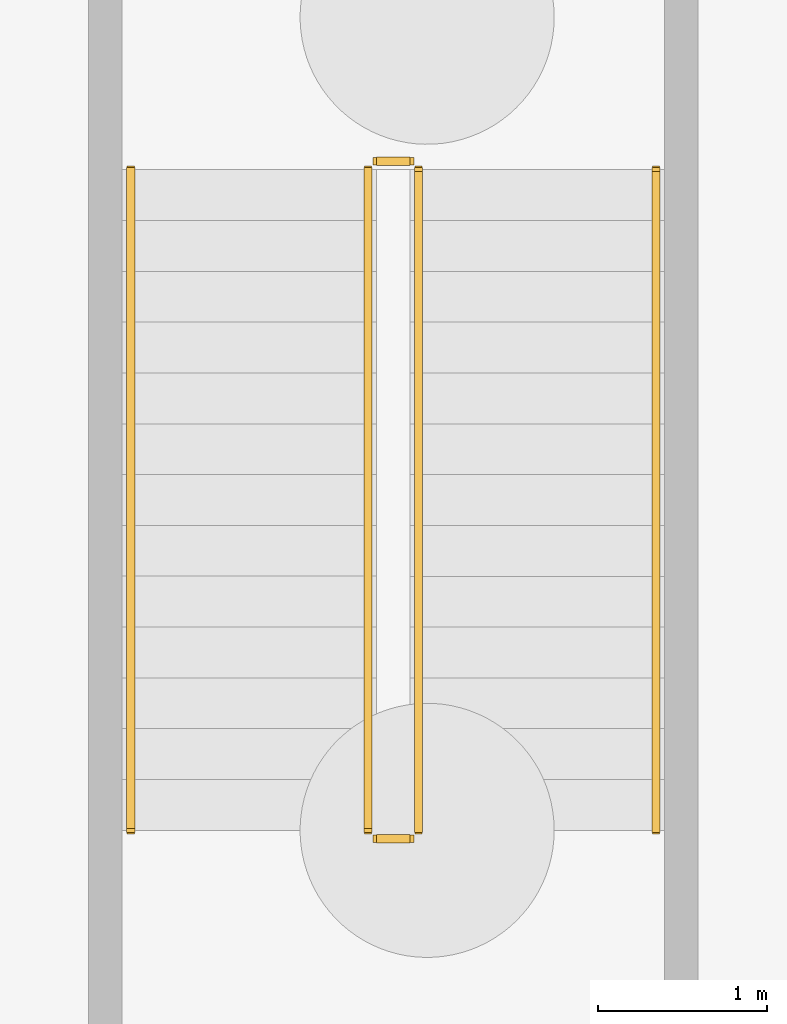
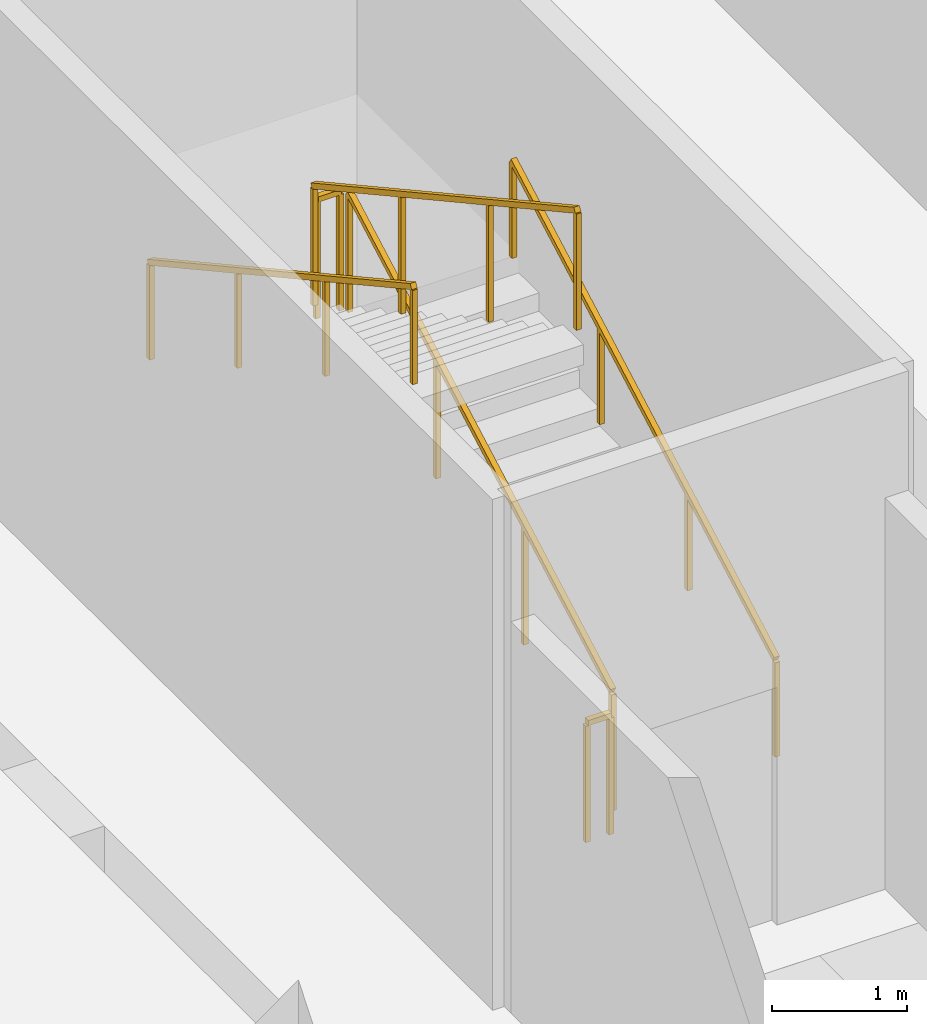
# One storey, part 13 of 14: 6 railings.
"""IFC4 building model written with IfcOpenShell, lengths in metres."""

import ifcopenshell
import ifcopenshell.guid

model = None  # the IFC model being written
_history = None  # IfcOwnerHistory: only IFC2X3 demands one
_inside = {}  # id of a spatial element -> (the spatial element, [elements in it])
_under = {}  # id of a project, library or spatial element -> (it, [spatial elements below it])
_declared = {}  # id of a project -> (the project, [libraries it declares])
_typed = {}  # id of a type object -> (the type object, [elements of that type])
_made_of = {}  # id of a material, layer set ... -> (it, [elements and type objects made of it])


def new_model(schema):
    """Start an empty IFC model of exactly this schema.

    Asked for "IFC4X3", IfcOpenShell would pick the latest addendum, in which some entities
    have other attributes; the version numbers below select the first issue.
    IFC2X3 requires an IfcOwnerHistory on every rooted entity: one is made here for all.
    """
    global model, _history
    if schema == "IFC4X3":
        model = ifcopenshell.file(schema_version=(4, 3, 0, 0))
    else:
        model = ifcopenshell.file(schema=schema)
    _inside.clear()
    _under.clear()
    _declared.clear()
    _typed.clear()
    _made_of.clear()
    _history = None
    if model.schema == "IFC2X3":
        org = make("IfcOrganization", Name="unknown")
        user = make(
            "IfcPersonAndOrganization",
            ThePerson=make("IfcPerson", FamilyName="unknown"),
            TheOrganization=org,
        )
        app = make(
            "IfcApplication",
            ApplicationDeveloper=org,
            Version="unknown",
            ApplicationFullName="unknown",
            ApplicationIdentifier="unknown",
        )
        _history = make(
            "IfcOwnerHistory",
            OwningUser=user,
            OwningApplication=app,
            ChangeAction="ADDED",
            CreationDate=0,
        )
    return model


def make(cls, **values):
    """One entity of the class cls with the attributes given. An attribute that is None is left unset."""
    return model.create_entity(
        cls, **{name: value for name, value in values.items() if value is not None}
    )


def rooted(cls, **values):
    """An entity with a GlobalId (a new one), such as an element, a storey or a relation."""
    return make(cls, GlobalId=ifcopenshell.guid.new(), OwnerHistory=_history, **values)


def si_unit(unit_type, name, prefix=None):
    """IfcSIUnit, for example si_unit("LENGTHUNIT", "METRE", prefix="MILLI")."""
    return make("IfcSIUnit", UnitType=unit_type, Prefix=prefix, Name=name)


def assignment(units):
    """IfcUnitAssignment: the units of a project."""
    return None if units is None else make("IfcUnitAssignment", Units=units)


def point(xyz):
    """IfcCartesianPoint."""
    return None if xyz is None else make("IfcCartesianPoint", Coordinates=xyz)


def direction(xyz):
    """IfcDirection."""
    return None if xyz is None else make("IfcDirection", DirectionRatios=xyz)


def frame(location, z_axis=None, x_axis=None):
    """IfcAxis2Placement3D, a coordinate frame: its origin and axes. An axis left out is left unset."""
    return make(
        "IfcAxis2Placement3D",
        Location=point(location),
        Axis=direction(z_axis),
        RefDirection=direction(x_axis),
    )


def origin():
    """The frame at (0, 0, 0) with its axes left unset."""
    return frame((0.0, 0.0, 0.0))


def place(relative_to, where):
    """IfcLocalPlacement: puts the frame where relative to a parent placement (None: the world)."""
    return make(
        "IfcLocalPlacement", PlacementRelTo=relative_to, RelativePlacement=where
    )


def context(
    kind, dimensions, precision=None, world=None, true_north=None, identifier=None
):
    """IfcGeometricRepresentationContext, for example the 3D "Model" context."""
    return make(
        "IfcGeometricRepresentationContext",
        ContextIdentifier=identifier,
        ContextType=kind,
        CoordinateSpaceDimension=dimensions,
        Precision=precision,
        WorldCoordinateSystem=world,
        TrueNorth=true_north,
    )


def subcontext(parent, identifier, kind, view, scale=None):
    """IfcGeometricRepresentationSubContext, for example "Body" below "Model"."""
    return make(
        "IfcGeometricRepresentationSubContext",
        ContextIdentifier=identifier,
        ContextType=kind,
        ParentContext=parent,
        TargetScale=scale,
        TargetView=view,
    )


def project(units=None, contexts=None):
    """IfcProject with its units and contexts."""
    return rooted(
        "IfcProject",
        Name="project",
        RepresentationContexts=contexts,
        UnitsInContext=assignment(units),
    )


def spatial(cls, under=None, at=None, **own):
    """A site, building, storey or space (cls), placed at a placement, below another one or the project."""
    s = rooted(cls, ObjectPlacement=at, **own)
    if under is not None:
        _under.setdefault(under.id(), (under, []))[1].append(s)
    return s


def profile(cls, at=None, kind="AREA", **sizes):
    """A parametric profile (cls). Its sizes go by their IFC names, for example OverallWidth=200.0."""
    return make(cls, ProfileType=kind, Position=at, **sizes)


def rectangle(**sizes):
    """IfcRectangleProfileDef."""
    return profile("IfcRectangleProfileDef", **sizes)


def extrude(swept, where, along, depth):
    """IfcExtrudedAreaSolid: the profile swept, set in the frame where, extruded along a direction by depth."""
    return make(
        "IfcExtrudedAreaSolid",
        SweptArea=swept,
        Position=where,
        ExtrudedDirection=direction(along),
        Depth=depth,
    )


def shape(context_of_items, identifier, shape_type, items):
    """IfcShapeRepresentation: the items that make up one representation, for example the "Body"."""
    return make(
        "IfcShapeRepresentation",
        ContextOfItems=context_of_items,
        RepresentationIdentifier=identifier,
        RepresentationType=shape_type,
        Items=items,
    )


def material(Name=None, Category=None):
    """IfcMaterial."""
    return make("IfcMaterial", Name=Name, Category=Category)


def made_of(thing, what):
    """Note that an element or type object is made of a material, layer set ...; save() writes the relation."""
    if what is not None:
        _made_of.setdefault(what.id(), (what, []))[1].append(thing)
    return thing


def type_object(cls, material=None, **own):
    """A type object (cls), such as IfcWallType, which elements share."""
    return made_of(rooted(cls, **own), material)


def element(
    cls,
    number,
    at=None,
    inside=None,
    cuts=None,
    type_object=None,
    material=None,
    context=None,
    identifier="Body",
    shape_type=None,
    held_by="IfcProductDefinitionShape",
    body=None,
    shapes=None,
    **own,
):
    """One element of the class cls, such as IfcWall. Its Tag is "e" and its number.

    at: its placement. inside: the storey or other place that contains it. cuts: it is an
    opening in that element (IfcRelVoidsElement). A single representation is given by context,
    identifier, shape_type and body (its items); several are given by shapes. held_by: the class
    of the entity that holds the representations. save() writes the other relations.
    """
    e = rooted(cls, Tag="e%d" % number, ObjectPlacement=at, **own)
    if body is not None:
        shapes = [shape(context, identifier, shape_type, body)]
    if shapes is not None:
        e.Representation = make(held_by, Representations=shapes)
    if inside is not None:
        _inside.setdefault(inside.id(), (inside, []))[1].append(e)
    if cuts is not None:
        rooted(
            "IfcRelVoidsElement", RelatingBuildingElement=cuts, RelatedOpeningElement=e
        )
    if type_object is not None:
        _typed.setdefault(type_object.id(), (type_object, []))[1].append(e)
    return made_of(e, material)


def aggregate(whole, parts):
    """IfcRelAggregates: a whole, such as a stair, and the parts it consists of."""
    return rooted("IfcRelAggregates", RelatingObject=whole, RelatedObjects=parts)


def save(model, path):
    """Write the relations noted so far, then the file.

    IfcRelAggregates (storeys below a building ...), IfcRelContainedInSpatialStructure (elements
    in a storey), IfcRelDefinesByType, IfcRelAssociatesMaterial and IfcRelDeclares: one each for
    every whole, place, type object, material and project.
    """
    for whole, parts in _under.values():
        aggregate(whole, parts)
    for where, things in _inside.values():
        rooted(
            "IfcRelContainedInSpatialStructure",
            RelatedElements=things,
            RelatingStructure=where,
        )
    for kind, things in _typed.values():
        rooted("IfcRelDefinesByType", RelatedObjects=things, RelatingType=kind)
    for what, things in _made_of.values():
        rooted("IfcRelAssociatesMaterial", RelatedObjects=things, RelatingMaterial=what)
    for by, libraries in _declared.values():
        rooted("IfcRelDeclares", RelatingContext=by, RelatedDefinitions=libraries)
    model.write(path)


model = new_model("IFC4")

# Units and contexts
model_context = context("Model", 3, precision=1e-05, world=origin(), true_north=direction((0.0, 1.0)))
body_context = subcontext(model_context, "Body", "Model", "MODEL_VIEW")
ifc_project = project(units=[si_unit("LENGTHUNIT", "METRE"), si_unit("AREAUNIT", "SQUARE_METRE"), si_unit("VOLUMEUNIT", "CUBIC_METRE"), si_unit("PLANEANGLEUNIT", "RADIAN"), si_unit("MASSUNIT", "GRAM", prefix="KILO")], contexts=[model_context])

# Site, building, storey
site_placement = place(None, origin())
site = spatial("IfcSite", under=ifc_project, at=site_placement, CompositionType="ELEMENT")
building_placement = place(site_placement, origin())
building = spatial("IfcBuilding", under=site, at=building_placement, Name="Tanjung Sevakor Pilgrim Tower", CompositionType="ELEMENT")
storey_placement = place(building_placement, frame((0.0, 0.0, -9.239990234375)))
storey = spatial("IfcBuildingStorey", under=building, at=storey_placement, Name="B02", CompositionType="ELEMENT", Elevation=-9.239990234375)

# Railings
ifc_material_1 = material(Name="Steel S355J2", Category="steel")
railing_type_1 = type_object("IfcRailingType", Name="RL-STAIR-GUARD", PredefinedType="GUARDRAIL", material=ifc_material_1)
railing_1_placement = place(storey_placement, frame((107.550048828125, 52.89990234375, 0.1650390625)))
element("IfcRailing", 1, at=railing_1_placement, inside=storey, type_object=railing_type_1, Name="B02 BS-4 stair guard 1", PredefinedType="GUARDRAIL", context=body_context, shape_type="SweptSolid", body=[
    extrude(rectangle(XDim=0.0479, YDim=0.0479), frame((0.0, 0.0, 1.076171875), z_axis=(0.0, 0.876221698874, 0.481908221991), x_axis=(-1.0, 0.0, 0.0)), (0.0, 0.0, 1.0), 4.451171875),
    extrude(rectangle(XDim=0.042, YDim=0.042), origin(), (0.0, 0.0, 1.0), 1.052001953125),
    extrude(rectangle(XDim=0.042, YDim=0.042), frame((0.0, 1.300048828125, 0.715087890625)), (0.0, 0.0, 1.0), 1.052001953125),
    extrude(rectangle(XDim=0.042, YDim=0.042), frame((0.0, 2.60009765625, 1.429931640625)), (0.0, 0.0, 1.0), 1.052001953125),
    extrude(rectangle(XDim=0.042, YDim=0.042), frame((0.0, 3.900146484375, 2.14501953125)), (0.0, 0.0, 1.0), 1.052001953125),
])
railing_2_placement = place(storey_placement, frame((107.5, 56.85009765625, 2.31005859375)))
element("IfcRailing", 2, at=railing_2_placement, inside=storey, type_object=railing_type_1, Name="B02 BS-4 stair guard 2", PredefinedType="GUARDRAIL", context=body_context, shape_type="SweptSolid", body=[
    extrude(rectangle(XDim=0.0479, YDim=0.0479), frame((0.0, 0.0, 1.076171875), z_axis=(-1.0, 0.0, 0.0), x_axis=(0.0, -1.0, 0.0)), (0.0, 0.0, 1.0), 0.199951171875),
    extrude(rectangle(XDim=0.042, YDim=0.042), origin(), (0.0, 0.0, 1.0), 1.052001953125),
    extrude(rectangle(XDim=0.042, YDim=0.042), frame((-0.199951171875, 0.0, 0.0)), (0.0, 0.0, 1.0), 1.052001953125),
])
railing_3_placement = place(storey_placement, frame((107.25, 56.800048828125, 2.47509765625)))
element("IfcRailing", 3, at=railing_3_placement, inside=storey, type_object=railing_type_1, Name="B02 BS-4 stair guard 3", PredefinedType="GUARDRAIL", context=body_context, shape_type="SweptSolid", body=[
    extrude(rectangle(XDim=0.0479, YDim=0.0479), frame((0.0, 0.0, 1.076171875), z_axis=(0.0, -0.876244859163, 0.481866108779), x_axis=(1.0, 0.0, 0.0)), (0.0, 0.0, 1.0), 4.450927734375),
    extrude(rectangle(XDim=0.042, YDim=0.042), origin(), (0.0, 0.0, 1.0), 1.052001953125),
    extrude(rectangle(XDim=0.042, YDim=0.042), frame((0.0, -1.300048828125, 0.71484375)), (0.0, 0.0, 1.0), 1.052001953125),
    extrude(rectangle(XDim=0.042, YDim=0.042), frame((0.0, -2.60009765625, 1.429931640625)), (0.0, 0.0, 1.0), 1.052001953125),
    extrude(rectangle(XDim=0.042, YDim=0.042), frame((0.0, -3.900146484375, 2.144775390625)), (0.0, 0.0, 1.0), 1.052001953125),
])
railing_4_placement = place(storey_placement, frame((107.5, 52.85009765625, 0.0)))
element("IfcRailing", 4, at=railing_4_placement, inside=storey, type_object=railing_type_1, Name="B02 BS-4 stair guard 4", PredefinedType="GUARDRAIL", context=body_context, shape_type="SweptSolid", body=[
    extrude(rectangle(XDim=0.0479, YDim=0.0479), frame((0.0, 0.0, 1.076171875), z_axis=(-1.0, 0.0, 0.0), x_axis=(0.0, -1.0, 0.0)), (0.0, 0.0, 1.0), 0.199951171875),
    extrude(rectangle(XDim=0.042, YDim=0.042), origin(), (0.0, 0.0, 1.0), 1.052001953125),
    extrude(rectangle(XDim=0.042, YDim=0.042), frame((-0.199951171875, 0.0, 0.0)), (0.0, 0.0, 1.0), 1.052001953125),
])
ifc_material_2 = material(Name="Steel S355J2", Category="steel")
railing_type_2 = type_object("IfcRailingType", Name="RL-STAIR-HAND", PredefinedType="HANDRAIL", material=ifc_material_2)
railing_5_placement = place(storey_placement, frame((108.949951171875, 52.89990234375, 0.1650390625)))
element("IfcRailing", 5, at=railing_5_placement, inside=storey, type_object=railing_type_2, Name="B02 BS-4 stair handrail 1", PredefinedType="HANDRAIL", context=body_context, shape_type="SweptSolid", body=[
    extrude(rectangle(XDim=0.0479, YDim=0.0479), frame((0.0, 0.0, 0.8759765625), z_axis=(0.0, 0.876221698874, 0.481908221991), x_axis=(-1.0, 0.0, 0.0)), (0.0, 0.0, 1.0), 4.451171875),
    extrude(rectangle(XDim=0.042, YDim=0.042), origin(), (0.0, 0.0, 1.0), 0.851806640625),
    extrude(rectangle(XDim=0.042, YDim=0.042), frame((0.0, 1.300048828125, 0.715087890625)), (0.0, 0.0, 1.0), 0.851806640625),
    extrude(rectangle(XDim=0.042, YDim=0.042), frame((0.0, 2.60009765625, 1.429931640625)), (0.0, 0.0, 1.0), 0.851806640625),
    extrude(rectangle(XDim=0.042, YDim=0.042), frame((0.0, 3.900146484375, 2.14501953125)), (0.0, 0.0, 1.0), 0.851806640625),
])
railing_6_placement = place(storey_placement, frame((105.85009765625, 56.800048828125, 2.47509765625)))
element("IfcRailing", 6, at=railing_6_placement, inside=storey, type_object=railing_type_2, Name="B02 BS-4 stair handrail 2", PredefinedType="HANDRAIL", context=body_context, shape_type="SweptSolid", body=[
    extrude(rectangle(XDim=0.0479, YDim=0.0479), frame((0.0, 0.0, 0.8759765625), z_axis=(0.0, -0.876244859163, 0.481866108779), x_axis=(1.0, 0.0, 0.0)), (0.0, 0.0, 1.0), 4.450927734375),
    extrude(rectangle(XDim=0.042, YDim=0.042), origin(), (0.0, 0.0, 1.0), 0.851806640625),
    extrude(rectangle(XDim=0.042, YDim=0.042), frame((0.0, -1.300048828125, 0.71484375)), (0.0, 0.0, 1.0), 0.851806640625),
    extrude(rectangle(XDim=0.042, YDim=0.042), frame((0.0, -2.60009765625, 1.429931640625)), (0.0, 0.0, 1.0), 0.851806640625),
    extrude(rectangle(XDim=0.042, YDim=0.042), frame((0.0, -3.900146484375, 2.144775390625)), (0.0, 0.0, 1.0), 0.851806640625),
])

save(model, "model.ifc")
